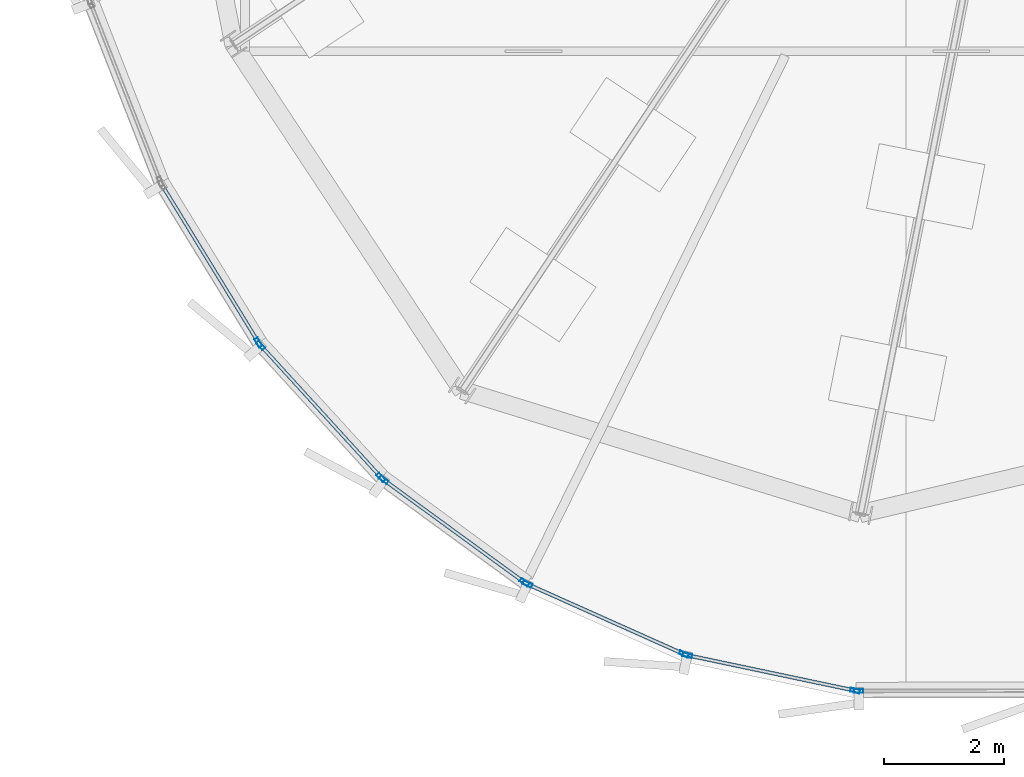
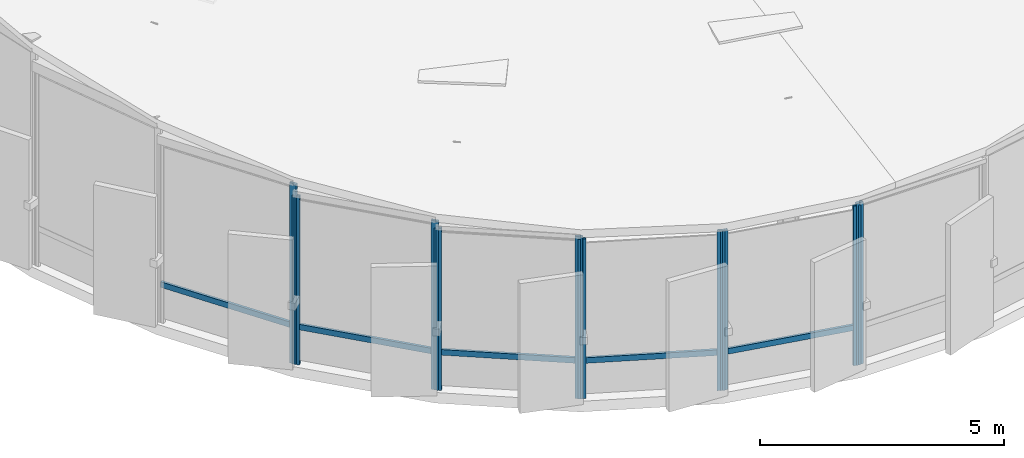
# One storey, part 2 of 36: 15 members, 6 elements without a shape of their own.
"""IFC4 building model written with IfcOpenShell, lengths in metres."""

from ifc_helpers import new_model, si_unit, direction, frame, origin, origin_2d, place, context, subcontext, project, spatial, hollow_rectangle, extrude, source, transform, mapped, material, layer, layer_set, material_profile, profile_set, type_object, element, aggregate, save


model = new_model("IFC4")

# Units and contexts
model_context = context("Model", 3, precision=1e-05, world=origin(), true_north=direction((0.0, 1.0)))
body_context = subcontext(model_context, "Body", "Model", "MODEL_VIEW")
ifc_project = project(units=[si_unit("LENGTHUNIT", "METRE"), si_unit("AREAUNIT", "SQUARE_METRE"), si_unit("VOLUMEUNIT", "CUBIC_METRE"), si_unit("PLANEANGLEUNIT", "RADIAN"), si_unit("MASSUNIT", "GRAM", prefix="KILO"), si_unit("THERMODYNAMICTEMPERATUREUNIT", "KELVIN")], contexts=[model_context])

# Site, building, storey
site_placement = place(None, origin())
site = spatial("IfcSite", under=ifc_project, at=site_placement, CompositionType="ELEMENT")
building_placement = place(site_placement, origin())
building = spatial("IfcBuilding", under=site, at=building_placement, Name="Kethvar Cultural Tower", CompositionType="ELEMENT")
storey_placement = place(building_placement, frame((0.0, 0.0, 324.300048828125)))
storey = spatial("IfcBuildingStorey", under=building, at=storey_placement, Name="L86", CompositionType="ELEMENT", Elevation=324.300048828125)

# Curtain wall, members
ifc_material = material(Name="Aluminium 6063-T6", Category="aluminium")
ifc_layer = layer(ifc_material, 0.179931640625, Name="Aluminium 6063-T6", Category="aluminium")
ifc_layer_set = layer_set([ifc_layer], Name="Aluminium 6063-T6 (180 mm)")
curtain_wall_type = type_object("IfcCurtainWallType", Name="CW-SYS-06-CROWN", PredefinedType="NOTDEFINED", material=ifc_layer_set)
curtain_wall_1_placement = place(storey_placement, origin())
curtain_wall_1 = element("IfcCurtainWall", 1, at=curtain_wall_1_placement, inside=storey, type_object=curtain_wall_type, Name="L86 Curtain Wall Run 15", PredefinedType="NOTDEFINED")
ifc_material_profile_1 = material_profile(ifc_material, hollow_rectangle(XDim=0.06494140625, YDim=0.159912109375, WallThickness=0.0048828125, at=origin_2d()), Name="Aluminium 6063-T6 — RHS160x65x5")
ifc_profile_set_1 = profile_set([ifc_material_profile_1], Name="Aluminium 6063-T6 — RHS160x65x5")
member_type_1 = type_object("IfcMemberType", Name="CW-SYS-06-CROWN-MUL", PredefinedType="MULLION", material=ifc_profile_set_1)
shared_shape_1 = source(origin(), body_context, "Body", "SweptSolid", [
    extrude(hollow_rectangle(XDim=0.06494140625, YDim=0.159912109375, WallThickness=0.0048828125, at=origin_2d()), origin(), (0.0, 0.0, 1.0), 4.50732421875),
])
member_1_placement = place(storey_placement, frame((33.327392578125, 13.531005859375, 0.0), z_axis=(0.0, 0.0, 1.0), x_axis=(0.852667521146, 0.522453919865, 0.0)))
member_1 = element("IfcMember", 2, at=member_1_placement, type_object=member_type_1, Name="CW-L86-R15 Mullion 2", PredefinedType="MULLION", context=body_context, shape_type="MappedRepresentation", body=[
    mapped(shared_shape_1, transform((0.0, 0.0, 0.0), scale=1.0)),
])
ifc_material_profile_2 = material_profile(ifc_material, hollow_rectangle(XDim=0.06005859375, YDim=0.139892578125, WallThickness=0.0048828125, at=origin_2d()), Name="Aluminium 6063-T6 — RHS140x60x5")
ifc_profile_set_2 = profile_set([ifc_material_profile_2], Name="Aluminium 6063-T6 — RHS140x60x5")
member_type_2 = type_object("IfcMemberType", Name="CW-SYS-06-CROWN-TRN", PredefinedType="USERDEFINED", material=ifc_profile_set_2)
shared_shape_2 = source(origin(), body_context, "Body", "SweptSolid", [
    extrude(hollow_rectangle(XDim=0.06005859375, YDim=0.139892578125, WallThickness=0.0048828125, at=origin_2d()), origin(), (0.0, 0.0, 1.0), 3.07958984375),
])
member_2_placement = place(storey_placement, frame((31.71630859375, 16.160888671875, 0.949951171875), z_axis=(0.522424488624, -0.852685553815, 0.0), x_axis=(0.852685553815, 0.522424488624, 0.0)))
member_2 = element("IfcMember", 3, at=member_2_placement, type_object=member_type_2, Name="CW-L86-R15 Transom 1", ObjectType="TRANSOM", PredefinedType="USERDEFINED", context=body_context, shape_type="MappedRepresentation", body=[
    mapped(shared_shape_2, transform((0.0, 0.0, 0.0), scale=1.0)),
])
aggregate(curtain_wall_1, [member_1, member_2])

curtain_wall_2_placement = place(storey_placement, origin())
curtain_wall_2 = element("IfcCurtainWall", 4, at=curtain_wall_2_placement, inside=storey, type_object=curtain_wall_type, Name="L86 Curtain Wall Run 16", PredefinedType="NOTDEFINED")
shared_shape_3 = source(origin(), body_context, "Body", "SweptSolid", [
    extrude(hollow_rectangle(XDim=0.06494140625, YDim=0.159912109375, WallThickness=0.0048828125, at=origin_2d()), origin(), (0.0, 0.0, 1.0), 4.226318359375),
])
member_3_placement = place(storey_placement, frame((33.364501953125, 13.482177734375, 0.0), z_axis=(0.0, 0.0, 1.0), x_axis=(0.738831826932, 0.673889851172, 0.0)))
member_3 = element("IfcMember", 5, at=member_3_placement, type_object=member_type_1, Name="CW-L86-R16 Mullion 1", PredefinedType="MULLION", context=body_context, shape_type="MappedRepresentation", body=[
    mapped(shared_shape_3, transform((0.0, 0.0, 0.0), scale=1.0)),
])
member_4_placement = place(storey_placement, frame((35.377197265625, 11.275146484375, 0.0), z_axis=(0.0, 0.0, 1.0), x_axis=(0.738831826932, 0.673889851172, 0.0)))
member_4 = element("IfcMember", 6, at=member_4_placement, type_object=member_type_1, Name="CW-L86-R16 Mullion 2", PredefinedType="MULLION", context=body_context, shape_type="MappedRepresentation", body=[
    mapped(shared_shape_3, transform((0.0, 0.0, 0.0), scale=1.0)),
])
shared_shape_4 = source(origin(), body_context, "Body", "SweptSolid", [
    extrude(hollow_rectangle(XDim=0.06005859375, YDim=0.139892578125, WallThickness=0.0048828125, at=origin_2d()), origin(), (0.0, 0.0, 1.0), 2.97802734375),
])
member_5_placement = place(storey_placement, frame((33.367431640625, 13.478759765625, 0.949951171875), z_axis=(0.673896046294, -0.738826176302, 0.0), x_axis=(0.738826176302, 0.673896046294, 0.0)))
member_5 = element("IfcMember", 7, at=member_5_placement, type_object=member_type_2, Name="CW-L86-R16 Transom 1", ObjectType="TRANSOM", PredefinedType="USERDEFINED", context=body_context, shape_type="MappedRepresentation", body=[
    mapped(shared_shape_4, transform((0.0, 0.0, 0.0), scale=1.0)),
])
aggregate(curtain_wall_2, [member_3, member_4, member_5])

curtain_wall_3_placement = place(storey_placement, origin())
curtain_wall_3 = element("IfcCurtainWall", 8, at=curtain_wall_3_placement, inside=storey, type_object=curtain_wall_type, Name="L86 Curtain Wall Run 17", PredefinedType="NOTDEFINED")
shared_shape_5 = source(origin(), body_context, "Body", "SweptSolid", [
    extrude(hollow_rectangle(XDim=0.06494140625, YDim=0.159912109375, WallThickness=0.0048828125, at=origin_2d()), origin(), (0.0, 0.0, 1.0), 4.05419921875),
])
member_6_placement = place(storey_placement, frame((35.421875, 11.235107421875, 0.0), z_axis=(0.0, 0.0, 1.0), x_axis=(0.58918225518, 0.808000167191, 0.0)))
member_6 = element("IfcMember", 9, at=member_6_placement, type_object=member_type_1, Name="CW-L86-R17 Mullion 1", PredefinedType="MULLION", context=body_context, shape_type="MappedRepresentation", body=[
    mapped(shared_shape_5, transform((0.0, 0.0, 0.0), scale=1.0)),
])
member_7_placement = place(storey_placement, frame((37.7724609375, 9.521240234375, 0.0), z_axis=(0.0, 0.0, 1.0), x_axis=(0.58918225518, 0.808000167191, 0.0)))
member_7 = element("IfcMember", 10, at=member_7_placement, type_object=member_type_1, Name="CW-L86-R17 Mullion 2", PredefinedType="MULLION", context=body_context, shape_type="MappedRepresentation", body=[
    mapped(shared_shape_5, transform((0.0, 0.0, 0.0), scale=1.0)),
])

# Curtain wall, member
curtain_wall_4_placement = place(storey_placement, origin())
curtain_wall_4 = element("IfcCurtainWall", 11, at=curtain_wall_4_placement, inside=storey, type_object=curtain_wall_type, Name="L86 Curtain Wall Run 20", PredefinedType="NOTDEFINED")
member_8_placement = place(storey_placement, frame((43.359619140625, 7.705810546875, 0.0), z_axis=(0.0, 0.0, 1.0), x_axis=(-0.001745328366, 0.999998476913, 0.0)))
member_8 = element("IfcMember", 12, at=member_8_placement, type_object=member_type_1, Name="CW-L86-R20 Mullion 1", PredefinedType="MULLION", context=body_context, shape_type="MappedRepresentation", body=[
    mapped(shared_shape_5, transform((0.0, 0.0, 0.0), scale=1.0)),
])
aggregate(curtain_wall_4, [member_8])

# Member
shared_shape_6 = source(origin(), body_context, "Body", "SweptSolid", [
    extrude(hollow_rectangle(XDim=0.06005859375, YDim=0.139892578125, WallThickness=0.0048828125, at=origin_2d()), origin(), (0.0, 0.0, 1.0), 2.89990234375),
])
member_9_placement = place(storey_placement, frame((35.425537109375, 11.232421875, 0.949951171875), z_axis=(0.80802923848, -0.589142384964, 0.0), x_axis=(0.589142384964, 0.80802923848, 0.0)))
member_9 = element("IfcMember", 13, at=member_9_placement, type_object=member_type_2, Name="CW-L86-R17 Transom 1", ObjectType="TRANSOM", PredefinedType="USERDEFINED", context=body_context, shape_type="MappedRepresentation", body=[
    mapped(shared_shape_6, transform((0.0, 0.0, 0.0), scale=1.0)),
])

aggregate(curtain_wall_3, [member_6, member_7, member_9])

# Curtain wall, members
curtain_wall_5_placement = place(storey_placement, origin())
curtain_wall_5 = element("IfcCurtainWall", 14, at=curtain_wall_5_placement, inside=storey, type_object=curtain_wall_type, Name="L86 Curtain Wall Run 18", PredefinedType="NOTDEFINED")
shared_shape_7 = source(origin(), body_context, "Body", "SweptSolid", [
    extrude(hollow_rectangle(XDim=0.06494140625, YDim=0.159912109375, WallThickness=0.0048828125, at=origin_2d()), origin(), (0.0, 0.0, 1.0), 3.996337890625),
])
member_10_placement = place(storey_placement, frame((37.823486328125, 9.49169921875, 0.0), z_axis=(0.0, 0.0, 1.0), x_axis=(0.408203000706, 0.912891182023, 0.0)))
member_10 = element("IfcMember", 15, at=member_10_placement, type_object=member_type_1, Name="CW-L86-R18 Mullion 1", PredefinedType="MULLION", context=body_context, shape_type="MappedRepresentation", body=[
    mapped(shared_shape_7, transform((0.0, 0.0, 0.0), scale=1.0)),
])
member_11_placement = place(storey_placement, frame((40.440185546875, 8.321533203125, 0.0), z_axis=(0.0, 0.0, 1.0), x_axis=(0.408203000706, 0.912891182023, 0.0)))
member_11 = element("IfcMember", 16, at=member_11_placement, type_object=member_type_1, Name="CW-L86-R18 Mullion 2", PredefinedType="MULLION", context=body_context, shape_type="MappedRepresentation", body=[
    mapped(shared_shape_7, transform((0.0, 0.0, 0.0), scale=1.0)),
])

curtain_wall_6_placement = place(storey_placement, origin())
curtain_wall_6 = element("IfcCurtainWall", 17, at=curtain_wall_6_placement, inside=storey, type_object=curtain_wall_type, Name="L86 Curtain Wall Run 19", PredefinedType="NOTDEFINED")
member_12_placement = place(storey_placement, frame((40.49609375, 8.303466796875, 0.0), z_axis=(0.0, 0.0, 1.0), x_axis=(0.206323731282, 0.978483785205, 0.0)))
member_12 = element("IfcMember", 18, at=member_12_placement, type_object=member_type_1, Name="CW-L86-R19 Mullion 1", PredefinedType="MULLION", context=body_context, shape_type="MappedRepresentation", body=[
    mapped(shared_shape_7, transform((0.0, 0.0, 0.0), scale=1.0)),
])
member_13_placement = place(storey_placement, frame((43.30078125, 7.7119140625, 0.0), z_axis=(0.0, 0.0, 1.0), x_axis=(0.206323731282, 0.978483785205, 0.0)))
member_13 = element("IfcMember", 19, at=member_13_placement, type_object=member_type_1, Name="CW-L86-R19 Mullion 2", PredefinedType="MULLION", context=body_context, shape_type="MappedRepresentation", body=[
    mapped(shared_shape_7, transform((0.0, 0.0, 0.0), scale=1.0)),
])

# Member
shared_shape_8 = source(origin(), body_context, "Body", "SweptSolid", [
    extrude(hollow_rectangle(XDim=0.06005859375, YDim=0.139892578125, WallThickness=0.0048828125, at=origin_2d()), origin(), (0.0, 0.0, 1.0), 2.857666015625),
])
member_14_placement = place(storey_placement, frame((37.827392578125, 9.48974609375, 0.949951171875), z_axis=(0.912932192134, -0.408111274735, 0.0), x_axis=(0.408111274735, 0.912932192134, 0.0)))
member_14 = element("IfcMember", 20, at=member_14_placement, type_object=member_type_2, Name="CW-L86-R18 Transom 1", ObjectType="TRANSOM", PredefinedType="USERDEFINED", context=body_context, shape_type="MappedRepresentation", body=[
    mapped(shared_shape_8, transform((0.0, 0.0, 0.0), scale=1.0)),
])

aggregate(curtain_wall_5, [member_10, member_11, member_14])

shared_shape_9 = source(origin(), body_context, "Body", "SweptSolid", [
    extrude(hollow_rectangle(XDim=0.06005859375, YDim=0.139892578125, WallThickness=0.0048828125, at=origin_2d()), origin(), (0.0, 0.0, 1.0), 2.857421875),
])
member_15_placement = place(storey_placement, frame((40.50048828125, 8.302490234375, 0.949951171875), z_axis=(0.978479924871, -0.206342037947, 0.0), x_axis=(0.206342037947, 0.978479924871, 0.0)))
member_15 = element("IfcMember", 21, at=member_15_placement, type_object=member_type_2, Name="CW-L86-R19 Transom 1", ObjectType="TRANSOM", PredefinedType="USERDEFINED", context=body_context, shape_type="MappedRepresentation", body=[
    mapped(shared_shape_9, transform((0.0, 0.0, 0.0), scale=1.0)),
])

aggregate(curtain_wall_6, [member_12, member_13, member_15])

save(model, "model.ifc")
